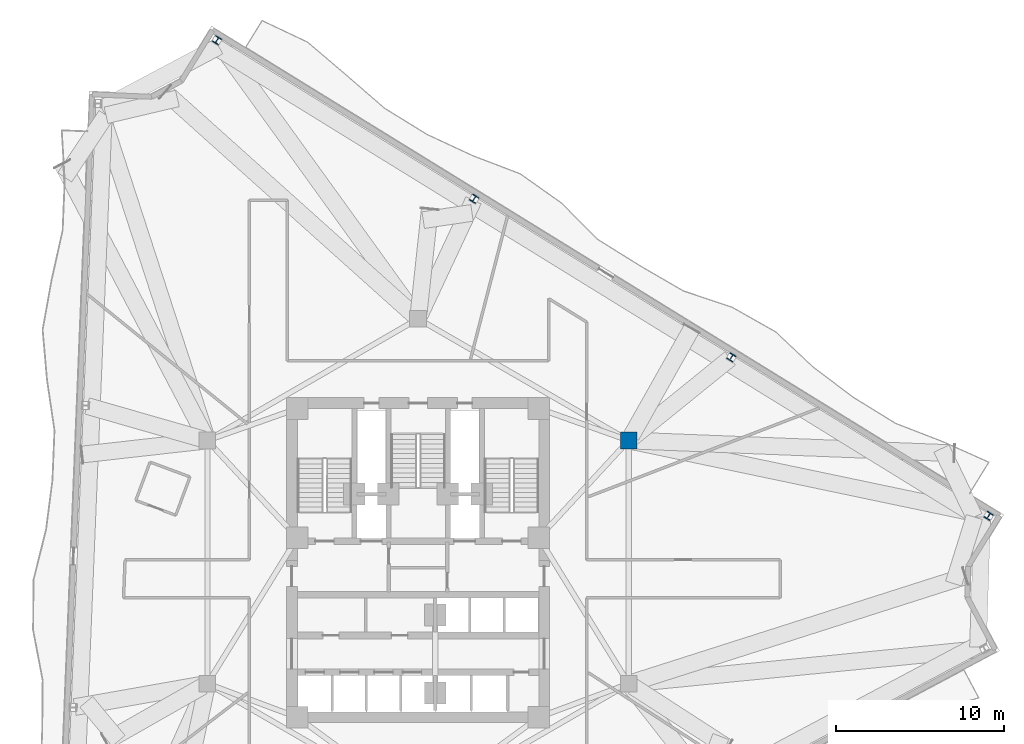
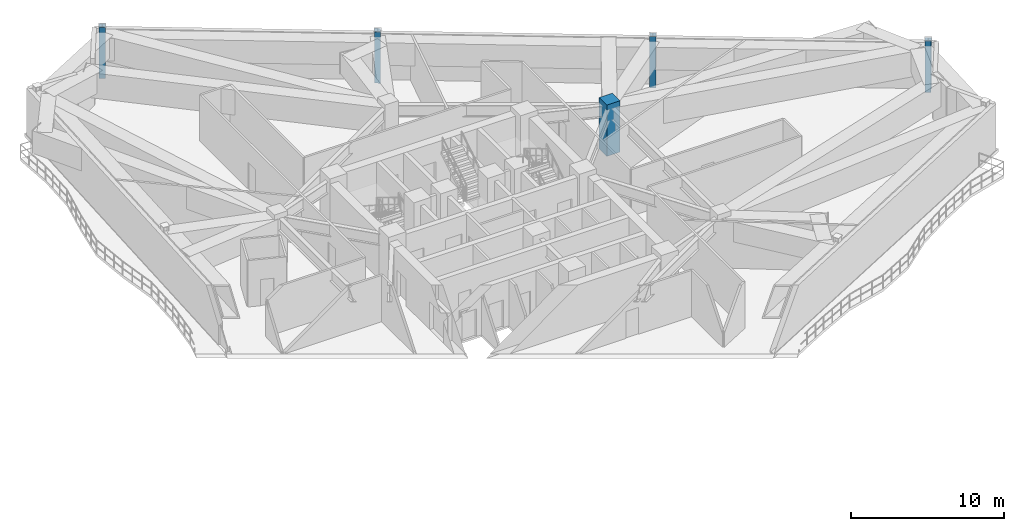
# One storey, part 2 of 14: 5 columns.
"""IFC4 building model written with IfcOpenShell, lengths in metres."""

from ifc_helpers import new_model, si_unit, direction, frame, origin, origin_2d, place, context, subcontext, project, spatial, rectangle, i_section, extrude, material, material_profile, profile_set, type_object, element, save


model = new_model("IFC4")

# Units and contexts
model_context = context("Model", 3, precision=1e-05, world=origin(), true_north=direction((0.0, 1.0)))
body_context = subcontext(model_context, "Body", "Model", "MODEL_VIEW")
ifc_project = project(units=[si_unit("LENGTHUNIT", "METRE"), si_unit("AREAUNIT", "SQUARE_METRE"), si_unit("VOLUMEUNIT", "CUBIC_METRE"), si_unit("PLANEANGLEUNIT", "RADIAN"), si_unit("MASSUNIT", "GRAM", prefix="KILO")], contexts=[model_context])

# Site, building, storey
site_placement = place(None, origin())
site = spatial("IfcSite", under=ifc_project, at=site_placement, CompositionType="ELEMENT")
building_placement = place(site_placement, origin())
building = spatial("IfcBuilding", under=site, at=building_placement, Name="Apsidion Concourse Tower", CompositionType="ELEMENT")
storey_placement = place(building_placement, frame((0.0, 0.0, 190.10009765625)))
storey = spatial("IfcBuildingStorey", under=building, at=storey_placement, Name="L44", CompositionType="ELEMENT", Elevation=190.10009765625)

# Columns
ifc_material_1 = material(Name="Concrete C50/60", Category="concrete")
ifc_material_profile_1 = material_profile(ifc_material_1, rectangle(XDim=1.0, YDim=1.0, at=origin_2d()), Name="RC 1000x1000")
ifc_profile_set_1 = profile_set([ifc_material_profile_1], Name="Concrete C50/60")
column_type_1 = type_object("IfcColumnType", Name="COL-RC-1000", PredefinedType="COLUMN", material=ifc_profile_set_1)
column_placement = place(storey_placement, frame((12.56005859375, 7.25, 0.0), z_axis=(0.0, 0.0, 1.0), x_axis=(1.0, 0.0, 0.0)))
element("IfcColumn", 1, at=column_placement, inside=storey, type_object=column_type_1, Name="L44 Interior Spine Column IC3", PredefinedType="COLUMN", context=body_context, shape_type="SweptSolid", body=[
    extrude(rectangle(XDim=1.0, YDim=1.0, at=origin_2d()), origin(), (0.0, 0.0, 1.0), 4.099853515625),
])
ifc_material_2 = material(Name="Structural steel ASTM A992 Grade 50", Category="steel")
ifc_material_profile_2 = material_profile(ifc_material_2, i_section(OverallWidth=0.406005859375, OverallDepth=0.4169921875, WebThickness=0.02978515625, FlangeThickness=0.048095703125, at=origin_2d()), Name="W14X257")
ifc_profile_set_2 = profile_set([ifc_material_profile_2], Name="Structural steel ASTM A992 Grade 50")
column_type_2 = type_object("IfcColumnType", Name="COL-W14-257", PredefinedType="COLUMN", material=ifc_profile_set_2)
for number, where, z_axis, x_axis, name in (
    (2, (34.010986328125, 2.751708984375, 0.0), (0.0, 0.0, 1.0), (-0.851269345923, 0.524728978323, 0.0), "L44 Rotated Perimeter Column PC09"),
    (3, (18.6787109375, 12.203369140625, 0.0), (0.0, 0.0, 1.0), (-0.851269345923, 0.524728978323, 0.0), "L44 Rotated Perimeter Column PC10"),
    (4, (3.346435546875, 21.655029296875, 0.0), (0.0, 0.0, 1.0), (-0.851269345923, 0.524728978323, 0.0), "L44 Rotated Perimeter Column PC11"),
    (5, (-11.98583984375, 31.106689453125, 0.0), (0.0, 0.0, 1.0), (-0.851269345923, 0.524728978323, 0.0), "L44 Rotated Perimeter Column PC12"),
):
    element("IfcColumn", number, at=place(storey_placement, frame(where, z_axis=z_axis, x_axis=x_axis)), inside=storey, type_object=column_type_2, Name=name, PredefinedType="COLUMN", context=body_context, shape_type="SweptSolid", body=[
        extrude(i_section(OverallWidth=0.406005859375, OverallDepth=0.4169921875, WebThickness=0.02978515625, FlangeThickness=0.048095703125, at=origin_2d()), origin(), (0.0, 0.0, 1.0), 4.099853515625),
    ])

save(model, "model.ifc")
